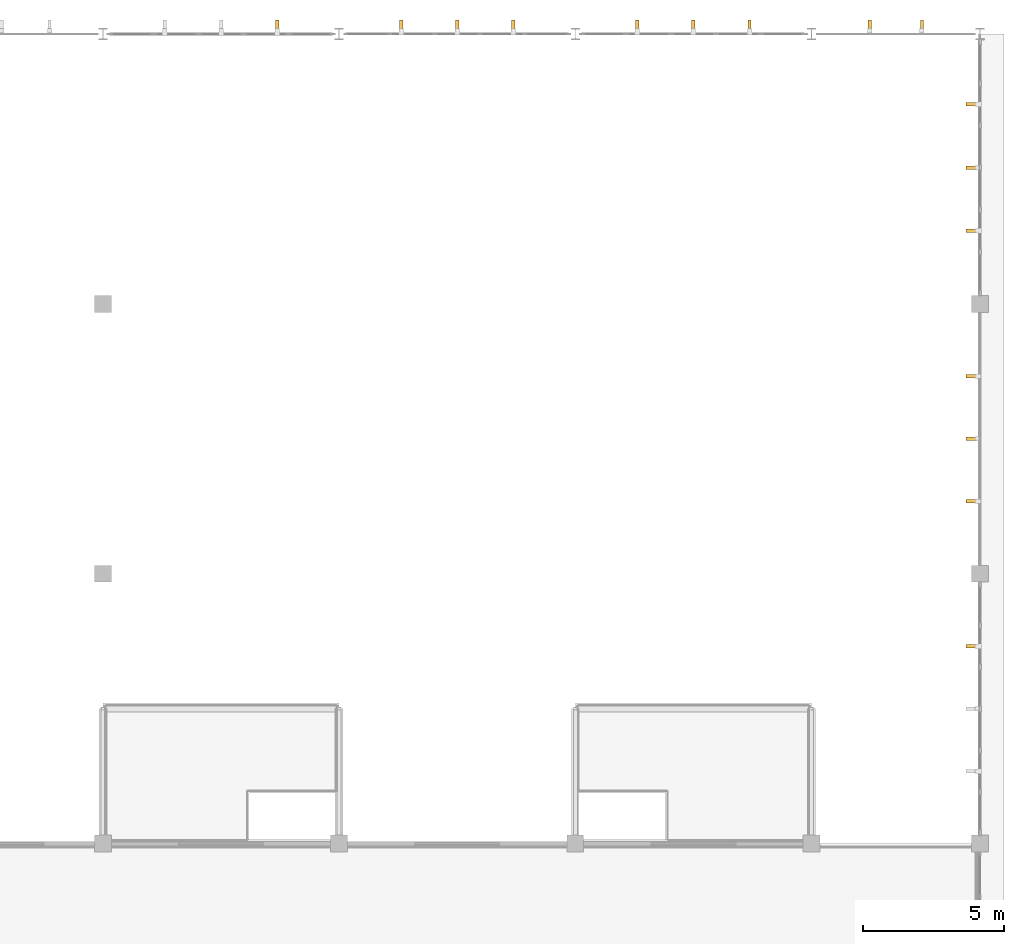
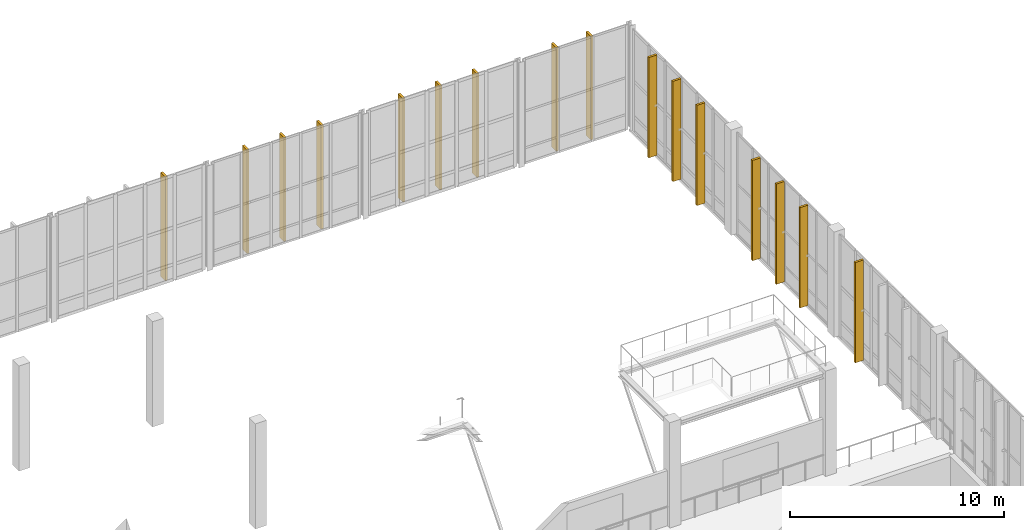
# One storey, part 105 of 105: 16 coverings.
"""IFC4 building model written with IfcOpenShell, lengths in metres."""

from ifc_helpers import new_model, si_unit, direction, frame, origin, origin_2d, place, context, subcontext, project, spatial, rectangle, extrude, material, layer, layer_set, type_object, element, save


model = new_model("IFC4")

# Units and contexts
model_context = context("Model", 3, precision=1e-05, world=origin(), true_north=direction((0.0, 1.0)))
body_context = subcontext(model_context, "Body", "Model", "MODEL_VIEW")
ifc_project = project(units=[si_unit("LENGTHUNIT", "METRE"), si_unit("AREAUNIT", "SQUARE_METRE"), si_unit("VOLUMEUNIT", "CUBIC_METRE"), si_unit("PLANEANGLEUNIT", "RADIAN"), si_unit("MASSUNIT", "GRAM", prefix="KILO")], contexts=[model_context])

# Site, building, storey
site_placement = place(None, origin())
site = spatial("IfcSite", under=ifc_project, at=site_placement, CompositionType="ELEMENT")
building_placement = place(site_placement, origin())
building = spatial("IfcBuilding", under=site, at=building_placement, Name="Tizgana Railside Sports Hall", CompositionType="ELEMENT")
storey_placement = place(building_placement, frame((0.0, 0.0, 6.0)))
storey = spatial("IfcBuildingStorey", under=building, at=storey_placement, Name="L01", CompositionType="ELEMENT", Elevation=6.0)

# Coverings
ifc_material = material(Name="Glulam GL28h", Category="wood")
ifc_layer = layer(ifc_material, 0.139892578125, Name="Glulam GL28h")
ifc_layer_set = layer_set([ifc_layer], Name="Glulam GL28h")
covering_type = type_object("IfcCoveringType", Name="Mass-Timber Brise-Soleil & Pergola Fin", PredefinedType="CLADDING", material=ifc_layer_set)
for number, where, z_axis, x_axis, name in (
    (1, (147.197509765625, 117.8798828125, 0.0400390625), (0.0, 0.0, 1.0), (1.0, 0.0, 0.0), "L01 Timber Brise-Soleil Fin"),
    (2, (151.6025390625, 117.8798828125, 0.0400390625), (0.0, 0.0, 1.0), (1.0, 0.0, 0.0), "L01 Timber Brise-Soleil Fin"),
    (3, (153.60009765625, 117.8798828125, 0.0400390625), (0.0, 0.0, 1.0), (1.0, 0.0, 0.0), "L01 Timber Brise-Soleil Fin"),
    (4, (155.597412109375, 117.8798828125, 0.0400390625), (0.0, 0.0, 1.0), (1.0, 0.0, 0.0), "L01 Timber Brise-Soleil Fin"),
    (5, (160.00244140625, 117.8798828125, 0.0400390625), (0.0, 0.0, 1.0), (1.0, 0.0, 0.0), "L01 Timber Brise-Soleil Fin"),
    (6, (162.0, 117.8798828125, 0.0400390625), (0.0, 0.0, 1.0), (1.0, 0.0, 0.0), "L01 Timber Brise-Soleil Fin"),
    (7, (163.99755859375, 117.8798828125, 0.0400390625), (0.0, 0.0, 1.0), (1.0, 0.0, 0.0), "L01 Timber Brise-Soleil Fin"),
    (8, (168.268310546875, 117.8798828125, 0.0400390625), (0.0, 0.0, 1.0), (1.0, 0.0, 0.0), "L01 Timber Brise-Soleil Fin"),
    (9, (170.131591796875, 117.8798828125, 0.0400390625), (0.0, 0.0, 1.0), (1.0, 0.0, 0.0), "L01 Timber Brise-Soleil Fin"),
):
    element("IfcCovering", number, at=place(storey_placement, frame(where, z_axis=z_axis, x_axis=x_axis)), inside=storey, type_object=covering_type, Name=name, PredefinedType="CLADDING", context=body_context, shape_type="SweptSolid", body=[
        extrude(rectangle(XDim=0.1201171875, YDim=0.43994140625, at=origin_2d()), origin(), (0.0, 0.0, 1.0), 5.919921875),
    ])
for number, where, z_axis, x_axis, name in (
    (10, (171.919921875, 95.822509765625, 0.0400390625), (0.0, 0.0, 1.0), (0.0, 1.0, 0.0), "L01 Timber Brise-Soleil Fin"),
    (11, (171.919921875, 100.9775390625, 0.0400390625), (0.0, 0.0, 1.0), (0.0, 1.0, 0.0), "L01 Timber Brise-Soleil Fin"),
    (12, (171.919921875, 103.199951171875, 0.0400390625), (0.0, 0.0, 1.0), (0.0, 1.0, 0.0), "L01 Timber Brise-Soleil Fin"),
    (13, (171.919921875, 105.422607421875, 0.0400390625), (0.0, 0.0, 1.0), (0.0, 1.0, 0.0), "L01 Timber Brise-Soleil Fin"),
    (14, (171.919921875, 110.6025390625, 0.0400390625), (0.0, 0.0, 1.0), (0.0, 1.0, 0.0), "L01 Timber Brise-Soleil Fin"),
    (15, (171.919921875, 112.85009765625, 0.0400390625), (0.0, 0.0, 1.0), (0.0, 1.0, 0.0), "L01 Timber Brise-Soleil Fin"),
    (16, (171.919921875, 115.097412109375, 0.0400390625), (0.0, 0.0, 1.0), (0.0, 1.0, 0.0), "L01 Timber Brise-Soleil Fin"),
):
    element("IfcCovering", number, at=place(storey_placement, frame(where, z_axis=z_axis, x_axis=x_axis)), inside=storey, type_object=covering_type, Name=name, PredefinedType="CLADDING", context=body_context, shape_type="SweptSolid", body=[
        extrude(rectangle(XDim=0.1201171875, YDim=0.43994140625, at=origin_2d()), origin(), (0.0, 0.0, 1.0), 5.719970703125),
    ])

save(model, "model.ifc")
